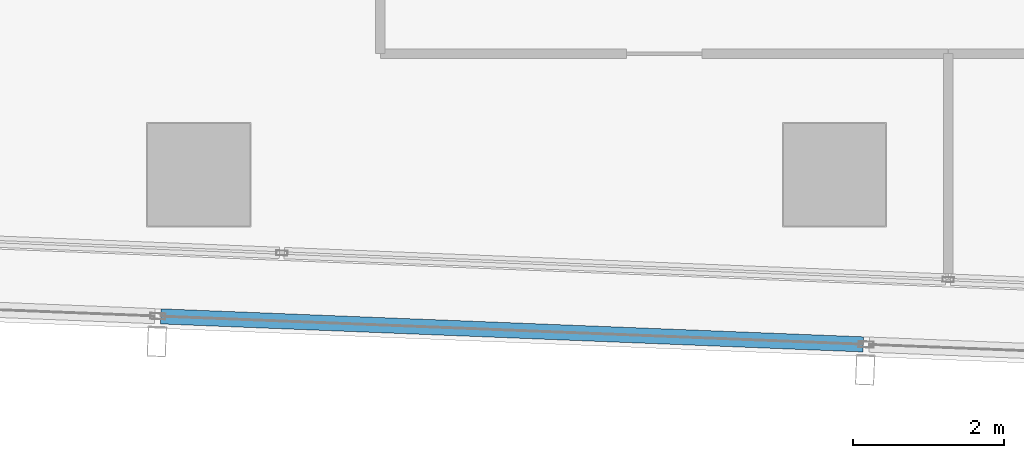
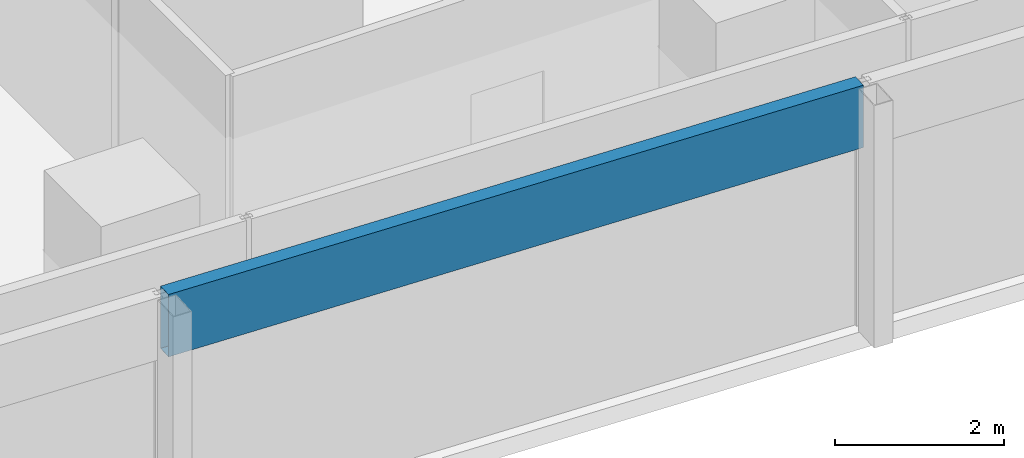
# One storey, part 4 of 39: 1 member, 1 element without a shape of its own.
"""IFC4 building model written with IfcOpenShell, lengths in metres."""

from ifc_helpers import new_model, si_unit, direction, frame, origin, origin_2d, place, context, subcontext, project, spatial, hollow_rectangle, extrude, material, material_profile, profile_set, type_object, element, aggregate, save


model = new_model("IFC4")

# Units and contexts
model_context = context("Model", 3, precision=1e-05, world=origin(), true_north=direction((0.0, 1.0)))
body_context = subcontext(model_context, "Body", "Model", "MODEL_VIEW")
ifc_project = project(units=[si_unit("LENGTHUNIT", "METRE"), si_unit("AREAUNIT", "SQUARE_METRE"), si_unit("VOLUMEUNIT", "CUBIC_METRE"), si_unit("PLANEANGLEUNIT", "RADIAN"), si_unit("MASSUNIT", "GRAM", prefix="KILO")], contexts=[model_context])

# Site, building, storey
site_placement = place(None, origin())
site = spatial("IfcSite", under=ifc_project, at=site_placement, CompositionType="ELEMENT")
building_placement = place(site_placement, origin())
building = spatial("IfcBuilding", under=site, at=building_placement, Name="Rekha Terrace Tower", CompositionType="ELEMENT")
storey_placement = place(building_placement, frame((0.0, 0.0, 221.449951171875)))
storey = spatial("IfcBuildingStorey", under=building, at=storey_placement, Name="L56", CompositionType="ELEMENT", Elevation=221.449951171875)

# Curtain wall, member
ifc_material_1 = material(Name="Aluminium framing", Category="aluminium")
curtain_wall_type = type_object("IfcCurtainWallType", Name="CW2 double skin outer glazing", PredefinedType="USERDEFINED", material=ifc_material_1)
curtain_wall_placement = place(storey_placement, origin())
curtain_wall = element("IfcCurtainWall", 1, at=curtain_wall_placement, inside=storey, type_object=curtain_wall_type, Name="CW2 double skin outer glazing", ObjectType="DOUBLE SKIN OUTER GLAZING", PredefinedType="USERDEFINED")
ifc_material_2 = material(Name="Insulated aluminium spandrel box", Category="aluminium")
ifc_material_profile = material_profile(ifc_material_2, hollow_rectangle(XDim=0.199951171875, YDim=0.89990234375, WallThickness=0.0029296875, at=origin_2d()), Name="AL SPANDREL BOX 200x900")
ifc_profile_set = profile_set([ifc_material_profile], Name="Insulated aluminium spandrel box")
member_type = type_object("IfcMemberType", Name="CW2 spandrel transom 200 x 900", PredefinedType="USERDEFINED", material=ifc_profile_set)
member_placement = place(storey_placement, frame((16.2998046875, 14.928955078125, 3.050048828125), z_axis=(0.999205404308, -0.039856743486, 0.0), x_axis=(0.039856743486, 0.999205404308, 0.0)))
member = element("IfcMember", 2, at=member_placement, type_object=member_type, Name="CW2 spandrel transom 2", ObjectType="TRANSOM", PredefinedType="USERDEFINED", context=body_context, shape_type="SweptSolid", body=[
    extrude(hollow_rectangle(XDim=0.199951171875, YDim=0.89990234375, WallThickness=0.0029296875, at=origin_2d()), origin(), (0.0, 0.0, 1.0), 9.2861328125),
])
aggregate(curtain_wall, [member])

save(model, "model.ifc")
